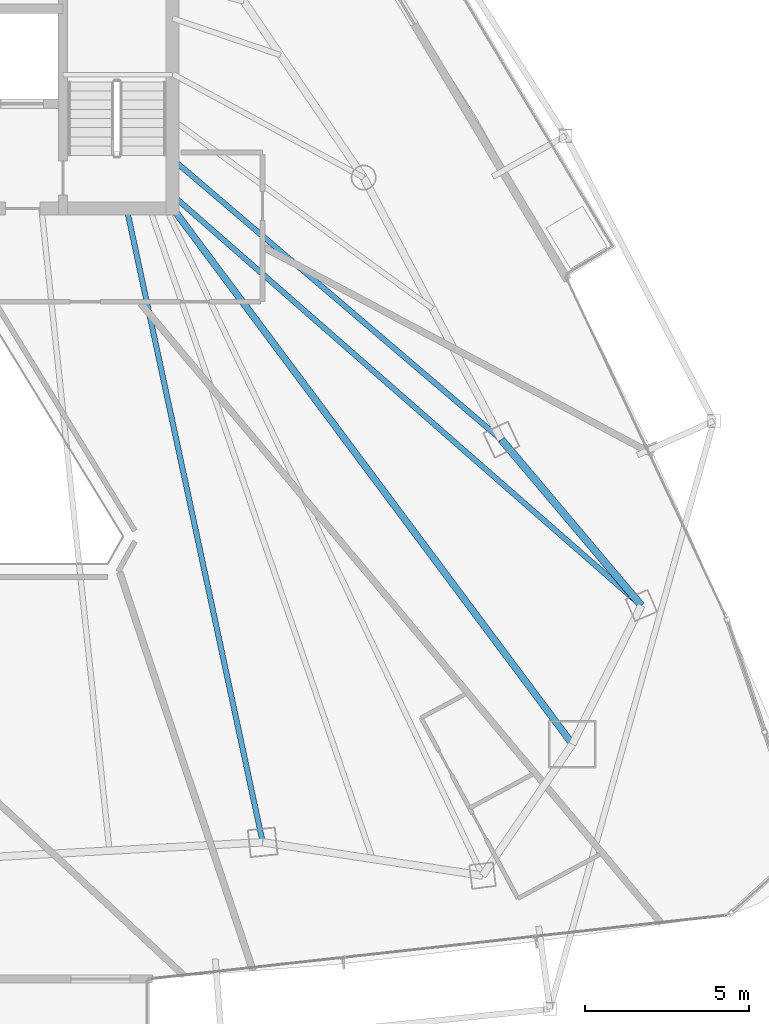
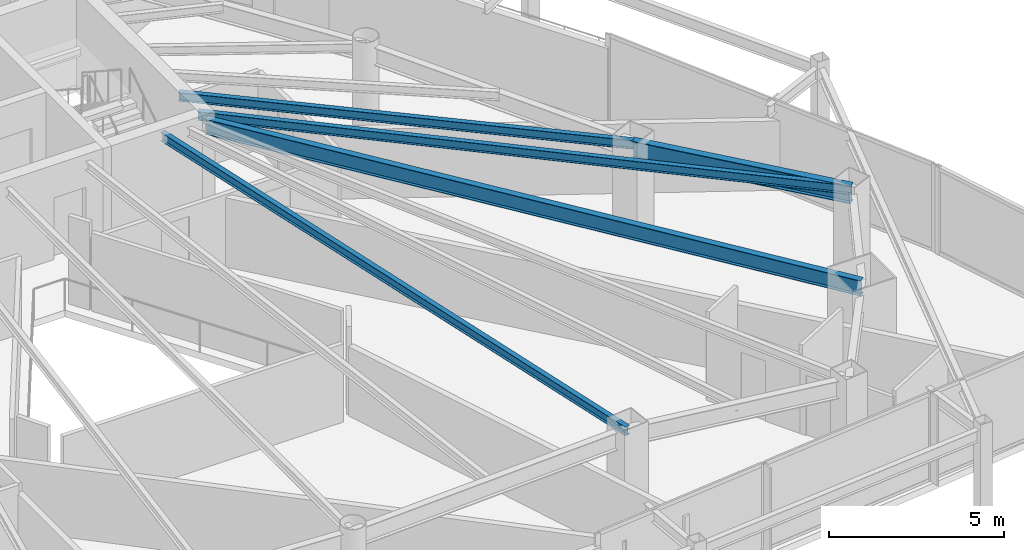
# One storey, part 16 of 31: 5 beams.
"""IFC4 building model written with IfcOpenShell, lengths in metres."""

import ifcopenshell
import ifcopenshell.guid

model = None  # the IFC model being written
_history = None  # IfcOwnerHistory: only IFC2X3 demands one
_inside = {}  # id of a spatial element -> (the spatial element, [elements in it])
_under = {}  # id of a project, library or spatial element -> (it, [spatial elements below it])
_declared = {}  # id of a project -> (the project, [libraries it declares])
_typed = {}  # id of a type object -> (the type object, [elements of that type])
_made_of = {}  # id of a material, layer set ... -> (it, [elements and type objects made of it])


def new_model(schema):
    """Start an empty IFC model of exactly this schema.

    Asked for "IFC4X3", IfcOpenShell would pick the latest addendum, in which some entities
    have other attributes; the version numbers below select the first issue.
    IFC2X3 requires an IfcOwnerHistory on every rooted entity: one is made here for all.
    """
    global model, _history
    if schema == "IFC4X3":
        model = ifcopenshell.file(schema_version=(4, 3, 0, 0))
    else:
        model = ifcopenshell.file(schema=schema)
    _inside.clear()
    _under.clear()
    _declared.clear()
    _typed.clear()
    _made_of.clear()
    _history = None
    if model.schema == "IFC2X3":
        org = make("IfcOrganization", Name="unknown")
        user = make(
            "IfcPersonAndOrganization",
            ThePerson=make("IfcPerson", FamilyName="unknown"),
            TheOrganization=org,
        )
        app = make(
            "IfcApplication",
            ApplicationDeveloper=org,
            Version="unknown",
            ApplicationFullName="unknown",
            ApplicationIdentifier="unknown",
        )
        _history = make(
            "IfcOwnerHistory",
            OwningUser=user,
            OwningApplication=app,
            ChangeAction="ADDED",
            CreationDate=0,
        )
    return model


def make(cls, **values):
    """One entity of the class cls with the attributes given. An attribute that is None is left unset."""
    return model.create_entity(
        cls, **{name: value for name, value in values.items() if value is not None}
    )


def rooted(cls, **values):
    """An entity with a GlobalId (a new one), such as an element, a storey or a relation."""
    return make(cls, GlobalId=ifcopenshell.guid.new(), OwnerHistory=_history, **values)


def si_unit(unit_type, name, prefix=None):
    """IfcSIUnit, for example si_unit("LENGTHUNIT", "METRE", prefix="MILLI")."""
    return make("IfcSIUnit", UnitType=unit_type, Prefix=prefix, Name=name)


def assignment(units):
    """IfcUnitAssignment: the units of a project."""
    return None if units is None else make("IfcUnitAssignment", Units=units)


def point(xyz):
    """IfcCartesianPoint."""
    return None if xyz is None else make("IfcCartesianPoint", Coordinates=xyz)


def direction(xyz):
    """IfcDirection."""
    return None if xyz is None else make("IfcDirection", DirectionRatios=xyz)


def frame(location, z_axis=None, x_axis=None):
    """IfcAxis2Placement3D, a coordinate frame: its origin and axes. An axis left out is left unset."""
    return make(
        "IfcAxis2Placement3D",
        Location=point(location),
        Axis=direction(z_axis),
        RefDirection=direction(x_axis),
    )


def frame_2d(location, x_axis=None):
    """IfcAxis2Placement2D, a coordinate frame in the plane: its origin and x axis."""
    return make(
        "IfcAxis2Placement2D", Location=point(location), RefDirection=direction(x_axis)
    )


def origin():
    """The frame at (0, 0, 0) with its axes left unset."""
    return frame((0.0, 0.0, 0.0))


def origin_2d():
    """The frame at (0, 0) in the plane with its x axis left unset."""
    return frame_2d((0.0, 0.0))


def place(relative_to, where):
    """IfcLocalPlacement: puts the frame where relative to a parent placement (None: the world)."""
    return make(
        "IfcLocalPlacement", PlacementRelTo=relative_to, RelativePlacement=where
    )


def context(
    kind, dimensions, precision=None, world=None, true_north=None, identifier=None
):
    """IfcGeometricRepresentationContext, for example the 3D "Model" context."""
    return make(
        "IfcGeometricRepresentationContext",
        ContextIdentifier=identifier,
        ContextType=kind,
        CoordinateSpaceDimension=dimensions,
        Precision=precision,
        WorldCoordinateSystem=world,
        TrueNorth=true_north,
    )


def subcontext(parent, identifier, kind, view, scale=None):
    """IfcGeometricRepresentationSubContext, for example "Body" below "Model"."""
    return make(
        "IfcGeometricRepresentationSubContext",
        ContextIdentifier=identifier,
        ContextType=kind,
        ParentContext=parent,
        TargetScale=scale,
        TargetView=view,
    )


def project(units=None, contexts=None):
    """IfcProject with its units and contexts."""
    return rooted(
        "IfcProject",
        Name="project",
        RepresentationContexts=contexts,
        UnitsInContext=assignment(units),
    )


def spatial(cls, under=None, at=None, **own):
    """A site, building, storey or space (cls), placed at a placement, below another one or the project."""
    s = rooted(cls, ObjectPlacement=at, **own)
    if under is not None:
        _under.setdefault(under.id(), (under, []))[1].append(s)
    return s


def profile(cls, at=None, kind="AREA", **sizes):
    """A parametric profile (cls). Its sizes go by their IFC names, for example OverallWidth=200.0."""
    return make(cls, ProfileType=kind, Position=at, **sizes)


def i_section(**sizes):
    """IfcIShapeProfileDef."""
    return profile("IfcIShapeProfileDef", **sizes)


def extrude(swept, where, along, depth):
    """IfcExtrudedAreaSolid: the profile swept, set in the frame where, extruded along a direction by depth."""
    return make(
        "IfcExtrudedAreaSolid",
        SweptArea=swept,
        Position=where,
        ExtrudedDirection=direction(along),
        Depth=depth,
    )


def shape(context_of_items, identifier, shape_type, items):
    """IfcShapeRepresentation: the items that make up one representation, for example the "Body"."""
    return make(
        "IfcShapeRepresentation",
        ContextOfItems=context_of_items,
        RepresentationIdentifier=identifier,
        RepresentationType=shape_type,
        Items=items,
    )


def material(Name=None, Category=None):
    """IfcMaterial."""
    return make("IfcMaterial", Name=Name, Category=Category)


def material_profile(
    of_material, cross_section, Name=None, Category=None, Priority=None
):
    """IfcMaterialProfile: a cross section and its material."""
    return make(
        "IfcMaterialProfile",
        Name=Name,
        Material=of_material,
        Profile=cross_section,
        Priority=Priority,
        Category=Category,
    )


def profile_set(profiles, Name=None, composite=None):
    """IfcMaterialProfileSet."""
    return make(
        "IfcMaterialProfileSet",
        Name=Name,
        MaterialProfiles=profiles,
        CompositeProfile=composite,
    )


def made_of(thing, what):
    """Note that an element or type object is made of a material, layer set ...; save() writes the relation."""
    if what is not None:
        _made_of.setdefault(what.id(), (what, []))[1].append(thing)
    return thing


def type_object(cls, material=None, **own):
    """A type object (cls), such as IfcWallType, which elements share."""
    return made_of(rooted(cls, **own), material)


def element(
    cls,
    number,
    at=None,
    inside=None,
    cuts=None,
    type_object=None,
    material=None,
    context=None,
    identifier="Body",
    shape_type=None,
    held_by="IfcProductDefinitionShape",
    body=None,
    shapes=None,
    **own,
):
    """One element of the class cls, such as IfcWall. Its Tag is "e" and its number.

    at: its placement. inside: the storey or other place that contains it. cuts: it is an
    opening in that element (IfcRelVoidsElement). A single representation is given by context,
    identifier, shape_type and body (its items); several are given by shapes. held_by: the class
    of the entity that holds the representations. save() writes the other relations.
    """
    e = rooted(cls, Tag="e%d" % number, ObjectPlacement=at, **own)
    if body is not None:
        shapes = [shape(context, identifier, shape_type, body)]
    if shapes is not None:
        e.Representation = make(held_by, Representations=shapes)
    if inside is not None:
        _inside.setdefault(inside.id(), (inside, []))[1].append(e)
    if cuts is not None:
        rooted(
            "IfcRelVoidsElement", RelatingBuildingElement=cuts, RelatedOpeningElement=e
        )
    if type_object is not None:
        _typed.setdefault(type_object.id(), (type_object, []))[1].append(e)
    return made_of(e, material)


def aggregate(whole, parts):
    """IfcRelAggregates: a whole, such as a stair, and the parts it consists of."""
    return rooted("IfcRelAggregates", RelatingObject=whole, RelatedObjects=parts)


def save(model, path):
    """Write the relations noted so far, then the file.

    IfcRelAggregates (storeys below a building ...), IfcRelContainedInSpatialStructure (elements
    in a storey), IfcRelDefinesByType, IfcRelAssociatesMaterial and IfcRelDeclares: one each for
    every whole, place, type object, material and project.
    """
    for whole, parts in _under.values():
        aggregate(whole, parts)
    for where, things in _inside.values():
        rooted(
            "IfcRelContainedInSpatialStructure",
            RelatedElements=things,
            RelatingStructure=where,
        )
    for kind, things in _typed.values():
        rooted("IfcRelDefinesByType", RelatedObjects=things, RelatingType=kind)
    for what, things in _made_of.values():
        rooted("IfcRelAssociatesMaterial", RelatedObjects=things, RelatingMaterial=what)
    for by, libraries in _declared.values():
        rooted("IfcRelDeclares", RelatingContext=by, RelatedDefinitions=libraries)
    model.write(path)


model = new_model("IFC4")

# Units and contexts
model_context = context("Model", 3, precision=1e-05, world=origin(), true_north=direction((0.0, 1.0)))
body_context = subcontext(model_context, "Body", "Model", "MODEL_VIEW")
ifc_project = project(units=[si_unit("LENGTHUNIT", "METRE"), si_unit("AREAUNIT", "SQUARE_METRE"), si_unit("VOLUMEUNIT", "CUBIC_METRE"), si_unit("PLANEANGLEUNIT", "RADIAN"), si_unit("MASSUNIT", "GRAM", prefix="KILO")], contexts=[model_context])

# Site, building, storey
site_placement = place(None, origin())
site = spatial("IfcSite", under=ifc_project, at=site_placement, CompositionType="ELEMENT")
building_placement = place(site_placement, origin())
building = spatial("IfcBuilding", under=site, at=building_placement, Name="Orvanel Arch Residences", CompositionType="ELEMENT")
storey_placement = place(building_placement, frame((0.0, 0.0, 126.5)))
storey = spatial("IfcBuildingStorey", under=building, at=storey_placement, Name="L35", CompositionType="ELEMENT", Elevation=126.5)

# Beams
ifc_material = material(Name="Structural steel AS/NZS 3679.1 Grade 300 (300 MPa)", Category="steel")
ifc_material_profile_1 = material_profile(ifc_material, i_section(OverallWidth=0.208984375, OverallDepth=0.532958984375, WebThickness=0.01025390625, FlangeThickness=0.015625, at=origin_2d()), Name="530UB92.4")
ifc_profile_set_1 = profile_set([ifc_material_profile_1], Name="Structural steel AS/NZS 3679.1 Grade 300 (300 MPa)")
beam_type_1 = type_object("IfcBeamType", Name="BG-530UB", PredefinedType="BEAM", material=ifc_profile_set_1)
beam_1_placement = place(storey_placement, frame((39.625, 26.675048828125, 2.79296875), z_axis=(0.597893733742, -0.801575375839, 0.0), x_axis=(0.801575375839, 0.597893733742, 0.0)))
element("IfcBeam", 1, at=beam_1_placement, inside=storey, type_object=beam_type_1, Name="L35 South-East Radial Girder", PredefinedType="BEAM", context=body_context, shape_type="SweptSolid", body=[
    extrude(i_section(OverallWidth=0.208984375, OverallDepth=0.532958984375, WebThickness=0.01025390625, FlangeThickness=0.015625, at=origin_2d()), origin(), (0.0, 0.0, 1.0), 20.36474609375),
])
ifc_material_profile_2 = material_profile(ifc_material, i_section(OverallWidth=0.1650390625, OverallDepth=0.303955078125, WebThickness=0.006103515625, FlangeThickness=0.01025390625, at=origin_2d()), Name="310UB40.4")
ifc_profile_set_2 = profile_set([ifc_material_profile_2], Name="Structural steel AS/NZS 3679.1 Grade 300 (300 MPa)")
beam_type_2 = type_object("IfcBeamType", Name="BJ-310UB", PredefinedType="JOIST", material=ifc_profile_set_2)
beam_2_placement = place(storey_placement, frame((39.60009765625, 28.199951171875, 2.907958984375), z_axis=(0.760821315761, -0.648961420644, 0.0), x_axis=(0.648961420644, 0.760821315761, 0.0)))
element("IfcBeam", 2, at=beam_2_placement, inside=storey, type_object=beam_type_2, Name="L35 E Wing Floor Joist", PredefinedType="JOIST", context=body_context, shape_type="SweptSolid", body=[
    extrude(i_section(OverallWidth=0.1650390625, OverallDepth=0.303955078125, WebThickness=0.006103515625, FlangeThickness=0.01025390625, at=origin_2d()), origin(), (0.0, 0.0, 1.0), 13.18701171875),
])
beam_3_placement = place(storey_placement, frame((38.199951171875, 26.699951171875, 2.907958984375), z_axis=(0.209808012425, -0.977742603103, 0.0), x_axis=(0.977742603103, 0.209808012425, 0.0)))
element("IfcBeam", 3, at=beam_3_placement, inside=storey, type_object=beam_type_2, Name="L35 SE Wing Floor Joist", PredefinedType="JOIST", context=body_context, shape_type="SweptSolid", body=[
    extrude(i_section(OverallWidth=0.1650390625, OverallDepth=0.303955078125, WebThickness=0.006103515625, FlangeThickness=0.01025390625, at=origin_2d()), origin(), (0.0, 0.0, 1.0), 19.785400390625),
])
beam_4_placement = place(storey_placement, frame((39.60009765625, 27.10009765625, 2.907958984375), z_axis=(0.752493154183, -0.658600070534, 0.0), x_axis=(0.658600070534, 0.752493154183, 0.0)))
element("IfcBeam", 4, at=beam_4_placement, inside=storey, type_object=beam_type_2, Name="L35 ME Wing Floor Joist", PredefinedType="JOIST", context=body_context, shape_type="SweptSolid", body=[
    extrude(i_section(OverallWidth=0.1650390625, OverallDepth=0.303955078125, WebThickness=0.006103515625, FlangeThickness=0.01025390625, at=origin_2d()), origin(), (0.0, 0.0, 1.0), 19.010009765625),
])
ifc_material_profile_3 = material_profile(ifc_material, i_section(OverallWidth=0.22900390625, OverallDepth=0.612060546875, WebThickness=0.011962890625, FlangeThickness=0.01953125, at=origin_2d()), Name="610UB125")
ifc_profile_set_3 = profile_set([ifc_material_profile_3], Name="Structural steel AS/NZS 3679.1 Grade 300 (300 MPa)")
beam_type_3 = type_object("IfcBeamType", Name="SP-610UB", PredefinedType="SPANDREL", material=ifc_profile_set_3)
beam_5_placement = place(storey_placement, frame((53.905029296875, 14.580078125, 2.75390625), z_axis=(-0.644950329775, 0.764224490659, 0.0), x_axis=(-0.764224490659, -0.644950329775, 0.0)))
element("IfcBeam", 5, at=beam_5_placement, inside=storey, type_object=beam_type_3, Name="L35 Perimeter Spandrel Beam 10", PredefinedType="SPANDREL", context=body_context, shape_type="SweptSolid", body=[
    extrude(i_section(OverallWidth=0.22900390625, OverallDepth=0.612060546875, WebThickness=0.011962890625, FlangeThickness=0.01953125, at=origin_2d()), origin(), (0.0, 0.0, 1.0), 6.623779296875),
])

save(model, "model.ifc")
